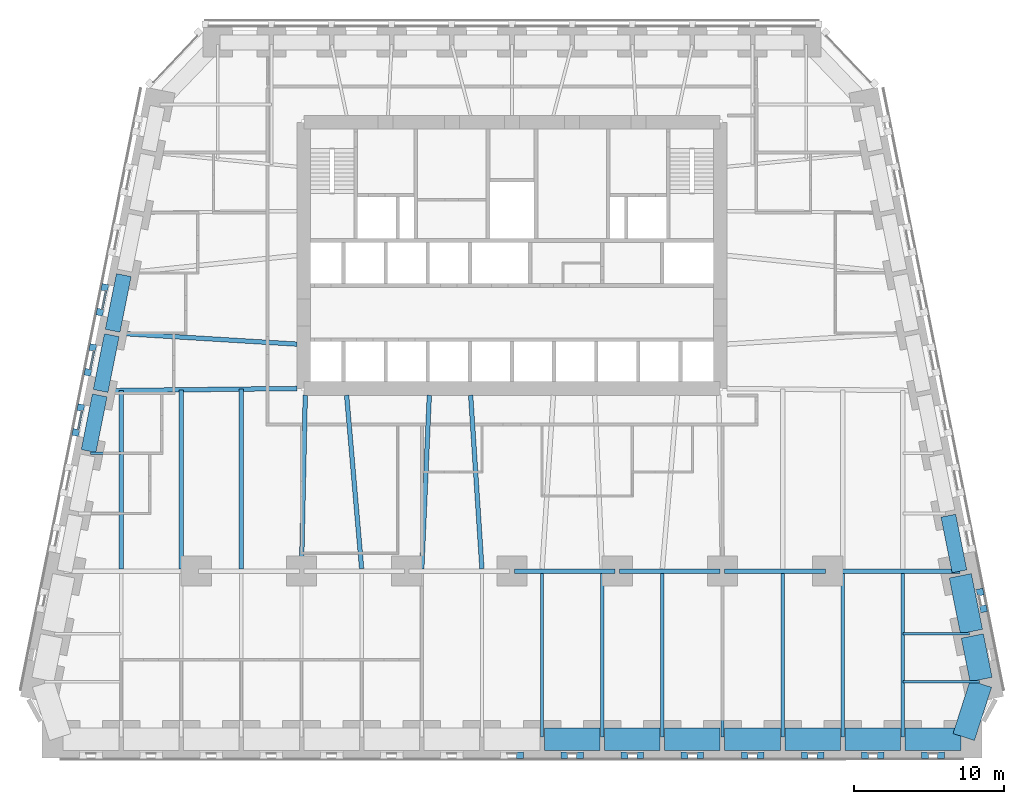
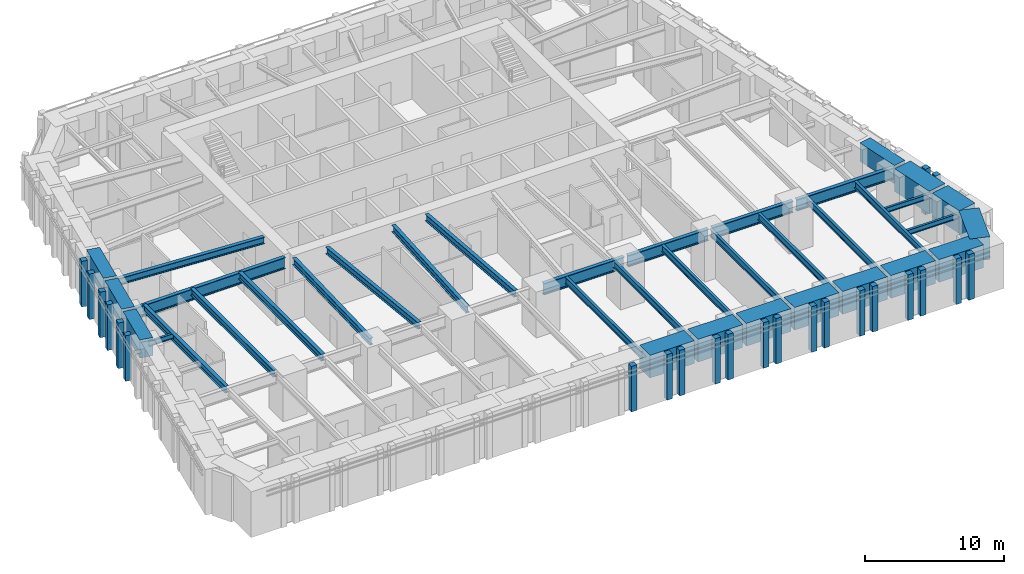
# One storey, part 2 of 16: 37 beams, 26 members, 12 elements without a shape of their own.
"""IFC4 building model written with IfcOpenShell, lengths in metres."""

from ifc_helpers import new_model, si_unit, direction, frame, origin, origin_2d, place, context, subcontext, project, spatial, rectangle, i_section, extrude, material, material_profile, profile_set, type_object, element, aggregate, save


model = new_model("IFC4")

# Units and contexts
model_context = context("Model", 3, precision=1e-05, world=origin(), true_north=direction((0.0, 1.0)))
body_context = subcontext(model_context, "Body", "Model", "MODEL_VIEW")
ifc_project = project(units=[si_unit("LENGTHUNIT", "METRE"), si_unit("AREAUNIT", "SQUARE_METRE"), si_unit("VOLUMEUNIT", "CUBIC_METRE"), si_unit("PLANEANGLEUNIT", "RADIAN"), si_unit("MASSUNIT", "GRAM", prefix="KILO")], contexts=[model_context])

# Site, building, storey
site_placement = place(None, origin())
site = spatial("IfcSite", under=ifc_project, at=site_placement, CompositionType="ELEMENT")
building_placement = place(site_placement, origin())
building = spatial("IfcBuilding", under=site, at=building_placement, Name="Isbrekke Arena Tower", CompositionType="ELEMENT")
storey_placement = place(building_placement, frame((0.0, 0.0, 52.0)))
storey = spatial("IfcBuildingStorey", under=building, at=storey_placement, Name="L10", CompositionType="ELEMENT", Elevation=52.0)

# Beams
ifc_material_1 = material(Name="Steel S355", Category="steel")
ifc_material_profile_1 = material_profile(ifc_material_1, i_section(OverallWidth=0.219970703125, OverallDepth=0.60009765625, WebThickness=0.011962890625, FlangeThickness=0.01904296875, FilletRadius=0.02392578125, at=origin_2d()), Name="IPE 600")
ifc_profile_set_1 = profile_set([ifc_material_profile_1], Name="Steel S355")
beam_type_1 = type_object("IfcBeamType", Name="B1 IPE 600", PredefinedType="BEAM", material=ifc_profile_set_1)
for number, where, z_axis, x_axis, name in (
    (1, (2.0, -17.02490234375, 3.550048828125), (0.0, 1.0, 0.0), (-1.0, 0.0, 0.0), "B1 beam S-S09 L10"),
    (2, (6.0, -17.02490234375, 3.550048828125), (0.0, 1.0, 0.0), (-1.0, 0.0, 0.0), "B1 beam S-S10 L10"),
    (3, (10.0, -17.02490234375, 3.550048828125), (0.0, 1.0, 0.0), (-1.0, 0.0, 0.0), "B1 beam S-S11 L10"),
):
    element("IfcBeam", number, at=place(storey_placement, frame(where, z_axis=z_axis, x_axis=x_axis)), inside=storey, type_object=beam_type_1, Name=name, PredefinedType="BEAM", context=body_context, shape_type="SweptSolid", body=[
        extrude(i_section(OverallWidth=0.219970703125, OverallDepth=0.60009765625, WebThickness=0.011962890625, FlangeThickness=0.01904296875, FilletRadius=0.02392578125, at=origin_2d()), origin(), (0.0, 0.0, 1.0), 10.8740234375),
    ])
beam_1_placement = place(storey_placement, frame((14.0, -17.02490234375, 3.550048828125), z_axis=(0.0, 1.0, 0.0), x_axis=(-1.0, 0.0, 0.0)))
element("IfcBeam", 4, at=beam_1_placement, inside=storey, type_object=beam_type_1, Name="B1 beam S-S12 L10", PredefinedType="BEAM", context=body_context, shape_type="SweptSolid", body=[
    extrude(i_section(OverallWidth=0.219970703125, OverallDepth=0.60009765625, WebThickness=0.011962890625, FlangeThickness=0.01904296875, FilletRadius=0.02392578125, at=origin_2d()), origin(), (0.0, 0.0, 1.0), 10.875),
])
for number, where, z_axis, x_axis, name in (
    (5, (18.0, -17.02490234375, 3.550048828125), (0.0, 1.0, 0.0), (-1.0, 0.0, 0.0), "B1 beam S-S13 L10"),
    (6, (22.0, -17.02490234375, 3.550048828125), (0.0, 1.0, 0.0), (-1.0, 0.0, 0.0), "B1 beam S-S14 L10"),
    (7, (26.0, -17.02490234375, 3.550048828125), (0.0, 1.0, 0.0), (-1.0, 0.0, 0.0), "B1 beam S-S15 L10"),
):
    element("IfcBeam", number, at=place(storey_placement, frame(where, z_axis=z_axis, x_axis=x_axis)), inside=storey, type_object=beam_type_1, Name=name, PredefinedType="BEAM", context=body_context, shape_type="SweptSolid", body=[
        extrude(i_section(OverallWidth=0.219970703125, OverallDepth=0.60009765625, WebThickness=0.011962890625, FlangeThickness=0.01904296875, FilletRadius=0.02392578125, at=origin_2d()), origin(), (0.0, 0.0, 1.0), 10.8740234375),
    ])
ifc_material_2 = material(Name="Steel S355", Category="steel")
ifc_material_profile_2 = material_profile(ifc_material_2, i_section(OverallWidth=0.18994140625, OverallDepth=0.449951171875, WebThickness=0.009521484375, FlangeThickness=0.0146484375, FilletRadius=0.02099609375, at=origin_2d()), Name="IPE 450")
ifc_profile_set_2 = profile_set([ifc_material_profile_2], Name="Steel S355")
beam_type_2 = type_object("IfcBeamType", Name="B2 IPE 450", PredefinedType="BEAM", material=ifc_profile_set_2)
beam_2_placement = place(storey_placement, frame((31.079345703125, -13.352783203125, 3.625), z_axis=(-1.0, 0.0, 0.0), x_axis=(0.0, -1.0, 0.0)))
element("IfcBeam", 8, at=beam_2_placement, inside=storey, type_object=beam_type_2, Name="B2 beam E-E01 L10", PredefinedType="BEAM", context=body_context, shape_type="SweptSolid", body=[
    extrude(i_section(OverallWidth=0.18994140625, OverallDepth=0.449951171875, WebThickness=0.009521484375, FlangeThickness=0.0146484375, FilletRadius=0.02099609375, at=origin_2d()), origin(), (0.0, 0.0, 1.0), 5.079345703125),
])
beam_3_placement = place(storey_placement, frame((30.44091796875, -10.161865234375, 3.625), z_axis=(-1.0, 0.0, 0.0), x_axis=(0.0, -1.0, 0.0)))
element("IfcBeam", 9, at=beam_3_placement, inside=storey, type_object=beam_type_2, Name="B2 beam E-E02 L10", PredefinedType="BEAM", context=body_context, shape_type="SweptSolid", body=[
    extrude(i_section(OverallWidth=0.18994140625, OverallDepth=0.449951171875, WebThickness=0.009521484375, FlangeThickness=0.0146484375, FilletRadius=0.02099609375, at=origin_2d()), origin(), (0.0, 0.0, 1.0), 4.44091796875),
])
beam_4_placement = place(storey_placement, frame((-28.041015625, 1.838134765625, 3.625), z_axis=(1.0, 0.0, 0.0), x_axis=(0.0, 1.0, 0.0)))
element("IfcBeam", 10, at=beam_4_placement, inside=storey, type_object=beam_type_2, Name="B2 beam E-W07 L10", PredefinedType="BEAM", context=body_context, shape_type="SweptSolid", body=[
    extrude(i_section(OverallWidth=0.18994140625, OverallDepth=0.449951171875, WebThickness=0.009521484375, FlangeThickness=0.0146484375, FilletRadius=0.02099609375, at=origin_2d()), origin(), (0.0, 0.0, 1.0), 2.041015625),
])
ifc_material_3 = material(Name="Steel S355", Category="steel")
ifc_material_profile_3 = material_profile(ifc_material_3, i_section(OverallWidth=0.300048828125, OverallDepth=0.60009765625, WebThickness=0.015380859375, FlangeThickness=0.030029296875, FilletRadius=0.027099609375, at=origin_2d()), Name="HEB 600")
ifc_profile_set_3 = profile_set([ifc_material_profile_3], Name="Steel S355")
beam_type_3 = type_object("IfcBeamType", Name="B7 HEB 600", PredefinedType="BEAM", material=ifc_profile_set_3)
beam_5_placement = place(storey_placement, frame((-26.0, -5.84912109375, 3.550048828125), z_axis=(0.0, 1.0, 0.0), x_axis=(-1.0, 0.0, 0.0)))
element("IfcBeam", 11, at=beam_5_placement, inside=storey, type_object=beam_type_3, Name="B7 beam C-M01 L10", PredefinedType="BEAM", context=body_context, shape_type="SweptSolid", body=[
    extrude(i_section(OverallWidth=0.300048828125, OverallDepth=0.60009765625, WebThickness=0.015380859375, FlangeThickness=0.030029296875, FilletRadius=0.027099609375, at=origin_2d()), origin(), (0.0, 0.0, 1.0), 11.864990234375),
])
beam_6_placement = place(storey_placement, frame((-22.0, -5.84912109375, 3.550048828125), z_axis=(0.0, 1.0, 0.0), x_axis=(-1.0, 0.0, 0.0)))
element("IfcBeam", 12, at=beam_6_placement, inside=storey, type_object=beam_type_3, Name="B7 beam C-M02 L10", PredefinedType="BEAM", context=body_context, shape_type="SweptSolid", body=[
    extrude(i_section(OverallWidth=0.300048828125, OverallDepth=0.60009765625, WebThickness=0.015380859375, FlangeThickness=0.030029296875, FilletRadius=0.027099609375, at=origin_2d()), origin(), (0.0, 0.0, 1.0), 11.910888671875),
])
beam_7_placement = place(storey_placement, frame((-18.0, -5.84912109375, 3.550048828125), z_axis=(0.0, 1.0, 0.0), x_axis=(-1.0, 0.0, 0.0)))
element("IfcBeam", 13, at=beam_7_placement, inside=storey, type_object=beam_type_3, Name="B7 beam C-M03 L10", PredefinedType="BEAM", context=body_context, shape_type="SweptSolid", body=[
    extrude(i_section(OverallWidth=0.300048828125, OverallDepth=0.60009765625, WebThickness=0.015380859375, FlangeThickness=0.030029296875, FilletRadius=0.027099609375, at=origin_2d()), origin(), (0.0, 0.0, 1.0), 11.956787109375),
])
beam_8_placement = place(storey_placement, frame((-14.0, -5.8466796875, 3.550048828125), z_axis=(0.021646264273, 0.999765692171, 0.0), x_axis=(-0.999765692171, 0.021646264273, 0.0)))
element("IfcBeam", 14, at=beam_8_placement, inside=storey, type_object=beam_type_3, Name="B7 beam C-M04 L10", PredefinedType="BEAM", context=body_context, shape_type="SweptSolid", body=[
    extrude(i_section(OverallWidth=0.300048828125, OverallDepth=0.60009765625, WebThickness=0.015380859375, FlangeThickness=0.030029296875, FilletRadius=0.027099609375, at=origin_2d()), origin(), (0.0, 0.0, 1.0), 11.54931640625),
])
beam_9_placement = place(storey_placement, frame((-10.001220703125, -5.836181640625, 3.550048828125), z_axis=(-0.086255671377, 0.996273034442, 0.0), x_axis=(-0.996273034442, -0.086255671377, 0.0)))
element("IfcBeam", 15, at=beam_9_placement, inside=storey, type_object=beam_type_3, Name="B7 beam C-M05 L10", PredefinedType="BEAM", context=body_context, shape_type="SweptSolid", body=[
    extrude(i_section(OverallWidth=0.300048828125, OverallDepth=0.60009765625, WebThickness=0.015380859375, FlangeThickness=0.030029296875, FilletRadius=0.027099609375, at=origin_2d()), origin(), (0.0, 0.0, 1.0), 11.579345703125),
])
beam_10_placement = place(storey_placement, frame((-5.999755859375, -5.842529296875, 3.550048828125), z_axis=(0.04325656756, 0.99906399663, 0.0), x_axis=(-0.99906399663, 0.04325656756, 0.0)))
element("IfcBeam", 16, at=beam_10_placement, inside=storey, type_object=beam_type_3, Name="B7 beam C-M06 L10", PredefinedType="BEAM", context=body_context, shape_type="SweptSolid", body=[
    extrude(i_section(OverallWidth=0.300048828125, OverallDepth=0.60009765625, WebThickness=0.015380859375, FlangeThickness=0.030029296875, FilletRadius=0.027099609375, at=origin_2d()), origin(), (0.0, 0.0, 1.0), 11.55322265625),
])
beam_11_placement = place(storey_placement, frame((-2.000732421875, -5.83935546875, 3.550048828125), z_axis=(-0.064795318476, 0.997898575359, 0.0), x_axis=(-0.997898575359, -0.064795318476, 0.0)))
element("IfcBeam", 17, at=beam_11_placement, inside=storey, type_object=beam_type_3, Name="B7 beam C-M07 L10", PredefinedType="BEAM", context=body_context, shape_type="SweptSolid", body=[
    extrude(i_section(OverallWidth=0.300048828125, OverallDepth=0.60009765625, WebThickness=0.015380859375, FlangeThickness=0.030029296875, FilletRadius=0.027099609375, at=origin_2d()), origin(), (0.0, 0.0, 1.0), 11.563720703125),
])
beam_12_placement = place(storey_placement, frame((-26.431884765625, 9.837646484375, 3.550048828125), z_axis=(0.998157121592, -0.060682457223, 0.0), x_axis=(0.060682457223, 0.998157121592, 0.0)))
element("IfcBeam", 18, at=beam_12_placement, inside=storey, type_object=beam_type_3, Name="B7 beam E-W05 L10", PredefinedType="BEAM", context=body_context, shape_type="SweptSolid", body=[
    extrude(i_section(OverallWidth=0.300048828125, OverallDepth=0.60009765625, WebThickness=0.015380859375, FlangeThickness=0.030029296875, FilletRadius=0.027099609375, at=origin_2d()), origin(), (0.0, 0.0, 1.0), 12.154296875),
])

# Curtain wall, member
ifc_material_4 = material(Name="Glazed aluminium curtain wall", Category="aluminium")
curtain_wall_type = type_object("IfcCurtainWallType", Name="CWL TOWER CURTAIN WALL LOW ZONE", PredefinedType="USERDEFINED", material=ifc_material_4)
curtain_wall_1_placement = place(storey_placement, origin())
curtain_wall_1 = element("IfcCurtainWall", 19, at=curtain_wall_1_placement, inside=storey, type_object=curtain_wall_type, Name="CWL curtain wall L10-S15", ObjectType="TOWER CURTAIN WALL LOW ZONE", PredefinedType="USERDEFINED")
ifc_material_5 = material(Name="Aluminium mullion, pale brick slip cladding", Category="masonry")
ifc_material_profile_4 = material_profile(ifc_material_5, rectangle(XDim=0.449951171875, YDim=0.449951171875, at=origin_2d()), Name="PIER 450X450")
ifc_profile_set_4 = profile_set([ifc_material_profile_4], Name="Aluminium mullion, pale brick slip cladding")
member_type_1 = type_object("IfcMemberType", Name="CWL-M PIER MULLION 450 x 450", PredefinedType="MULLION", material=ifc_profile_set_4)
member_1_placement = place(storey_placement, frame((0.52490234375, -18.25, 0.0), z_axis=(0.0, 0.0, 1.0), x_axis=(1.0, 0.0, 0.0)))
member_1 = element("IfcMember", 20, at=member_1_placement, type_object=member_type_1, Name="CWL-M mullion 2", PredefinedType="MULLION", context=body_context, shape_type="SweptSolid", body=[
    extrude(rectangle(XDim=0.449951171875, YDim=0.449951171875, at=origin_2d()), origin(), (0.0, 0.0, 1.0), 4.0),
])
aggregate(curtain_wall_1, [member_1])

# Curtain wall, members
curtain_wall_2_placement = place(storey_placement, origin())
curtain_wall_2 = element("IfcCurtainWall", 21, at=curtain_wall_2_placement, inside=storey, type_object=curtain_wall_type, Name="CWL curtain wall L10-S17", ObjectType="TOWER CURTAIN WALL LOW ZONE", PredefinedType="USERDEFINED")
member_2_placement = place(storey_placement, frame((3.47509765625, -18.25, 0.0), z_axis=(0.0, 0.0, 1.0), x_axis=(1.0, 0.0, 0.0)))
member_2 = element("IfcMember", 22, at=member_2_placement, type_object=member_type_1, Name="CWL-M mullion 1", PredefinedType="MULLION", context=body_context, shape_type="SweptSolid", body=[
    extrude(rectangle(XDim=0.449951171875, YDim=0.449951171875, at=origin_2d()), origin(), (0.0, 0.0, 1.0), 4.0),
])
member_3_placement = place(storey_placement, frame((4.52490234375, -18.25, 0.0), z_axis=(0.0, 0.0, 1.0), x_axis=(1.0, 0.0, 0.0)))
member_3 = element("IfcMember", 23, at=member_3_placement, type_object=member_type_1, Name="CWL-M mullion 2", PredefinedType="MULLION", context=body_context, shape_type="SweptSolid", body=[
    extrude(rectangle(XDim=0.449951171875, YDim=0.449951171875, at=origin_2d()), origin(), (0.0, 0.0, 1.0), 4.0),
])
aggregate(curtain_wall_2, [member_2, member_3])

curtain_wall_3_placement = place(storey_placement, origin())
curtain_wall_3 = element("IfcCurtainWall", 24, at=curtain_wall_3_placement, inside=storey, type_object=curtain_wall_type, Name="CWL curtain wall L10-S19", ObjectType="TOWER CURTAIN WALL LOW ZONE", PredefinedType="USERDEFINED")
member_4_placement = place(storey_placement, frame((7.47509765625, -18.25, 0.0), z_axis=(0.0, 0.0, 1.0), x_axis=(1.0, 0.0, 0.0)))
member_4 = element("IfcMember", 25, at=member_4_placement, type_object=member_type_1, Name="CWL-M mullion 1", PredefinedType="MULLION", context=body_context, shape_type="SweptSolid", body=[
    extrude(rectangle(XDim=0.449951171875, YDim=0.449951171875, at=origin_2d()), origin(), (0.0, 0.0, 1.0), 4.0),
])
member_5_placement = place(storey_placement, frame((8.52490234375, -18.25, 0.0), z_axis=(0.0, 0.0, 1.0), x_axis=(1.0, 0.0, 0.0)))
member_5 = element("IfcMember", 26, at=member_5_placement, type_object=member_type_1, Name="CWL-M mullion 2", PredefinedType="MULLION", context=body_context, shape_type="SweptSolid", body=[
    extrude(rectangle(XDim=0.449951171875, YDim=0.449951171875, at=origin_2d()), origin(), (0.0, 0.0, 1.0), 4.0),
])
aggregate(curtain_wall_3, [member_4, member_5])

curtain_wall_4_placement = place(storey_placement, origin())
curtain_wall_4 = element("IfcCurtainWall", 27, at=curtain_wall_4_placement, inside=storey, type_object=curtain_wall_type, Name="CWL curtain wall L10-S21", ObjectType="TOWER CURTAIN WALL LOW ZONE", PredefinedType="USERDEFINED")
member_6_placement = place(storey_placement, frame((11.47509765625, -18.25, 0.0), z_axis=(0.0, 0.0, 1.0), x_axis=(1.0, 0.0, 0.0)))
member_6 = element("IfcMember", 28, at=member_6_placement, type_object=member_type_1, Name="CWL-M mullion 1", PredefinedType="MULLION", context=body_context, shape_type="SweptSolid", body=[
    extrude(rectangle(XDim=0.449951171875, YDim=0.449951171875, at=origin_2d()), origin(), (0.0, 0.0, 1.0), 4.0),
])
member_7_placement = place(storey_placement, frame((12.52490234375, -18.25, 0.0), z_axis=(0.0, 0.0, 1.0), x_axis=(1.0, 0.0, 0.0)))
member_7 = element("IfcMember", 29, at=member_7_placement, type_object=member_type_1, Name="CWL-M mullion 2", PredefinedType="MULLION", context=body_context, shape_type="SweptSolid", body=[
    extrude(rectangle(XDim=0.449951171875, YDim=0.449951171875, at=origin_2d()), origin(), (0.0, 0.0, 1.0), 4.0),
])
aggregate(curtain_wall_4, [member_6, member_7])

curtain_wall_5_placement = place(storey_placement, origin())
curtain_wall_5 = element("IfcCurtainWall", 30, at=curtain_wall_5_placement, inside=storey, type_object=curtain_wall_type, Name="CWL curtain wall L10-S23", ObjectType="TOWER CURTAIN WALL LOW ZONE", PredefinedType="USERDEFINED")
member_8_placement = place(storey_placement, frame((15.47509765625, -18.25, 0.0), z_axis=(0.0, 0.0, 1.0), x_axis=(1.0, 0.0, 0.0)))
member_8 = element("IfcMember", 31, at=member_8_placement, type_object=member_type_1, Name="CWL-M mullion 1", PredefinedType="MULLION", context=body_context, shape_type="SweptSolid", body=[
    extrude(rectangle(XDim=0.449951171875, YDim=0.449951171875, at=origin_2d()), origin(), (0.0, 0.0, 1.0), 4.0),
])
member_9_placement = place(storey_placement, frame((16.52490234375, -18.25, 0.0), z_axis=(0.0, 0.0, 1.0), x_axis=(1.0, 0.0, 0.0)))
member_9 = element("IfcMember", 32, at=member_9_placement, type_object=member_type_1, Name="CWL-M mullion 2", PredefinedType="MULLION", context=body_context, shape_type="SweptSolid", body=[
    extrude(rectangle(XDim=0.449951171875, YDim=0.449951171875, at=origin_2d()), origin(), (0.0, 0.0, 1.0), 4.0),
])
aggregate(curtain_wall_5, [member_8, member_9])

curtain_wall_6_placement = place(storey_placement, origin())
curtain_wall_6 = element("IfcCurtainWall", 33, at=curtain_wall_6_placement, inside=storey, type_object=curtain_wall_type, Name="CWL curtain wall L10-S25", ObjectType="TOWER CURTAIN WALL LOW ZONE", PredefinedType="USERDEFINED")
member_10_placement = place(storey_placement, frame((19.47509765625, -18.25, 0.0), z_axis=(0.0, 0.0, 1.0), x_axis=(1.0, 0.0, 0.0)))
member_10 = element("IfcMember", 34, at=member_10_placement, type_object=member_type_1, Name="CWL-M mullion 1", PredefinedType="MULLION", context=body_context, shape_type="SweptSolid", body=[
    extrude(rectangle(XDim=0.449951171875, YDim=0.449951171875, at=origin_2d()), origin(), (0.0, 0.0, 1.0), 4.0),
])
member_11_placement = place(storey_placement, frame((20.52490234375, -18.25, 0.0), z_axis=(0.0, 0.0, 1.0), x_axis=(1.0, 0.0, 0.0)))
member_11 = element("IfcMember", 35, at=member_11_placement, type_object=member_type_1, Name="CWL-M mullion 2", PredefinedType="MULLION", context=body_context, shape_type="SweptSolid", body=[
    extrude(rectangle(XDim=0.449951171875, YDim=0.449951171875, at=origin_2d()), origin(), (0.0, 0.0, 1.0), 4.0),
])
aggregate(curtain_wall_6, [member_10, member_11])

curtain_wall_7_placement = place(storey_placement, origin())
curtain_wall_7 = element("IfcCurtainWall", 36, at=curtain_wall_7_placement, inside=storey, type_object=curtain_wall_type, Name="CWL curtain wall L10-S27", ObjectType="TOWER CURTAIN WALL LOW ZONE", PredefinedType="USERDEFINED")
member_12_placement = place(storey_placement, frame((23.47509765625, -18.25, 0.0), z_axis=(0.0, 0.0, 1.0), x_axis=(1.0, 0.0, 0.0)))
member_12 = element("IfcMember", 37, at=member_12_placement, type_object=member_type_1, Name="CWL-M mullion 1", PredefinedType="MULLION", context=body_context, shape_type="SweptSolid", body=[
    extrude(rectangle(XDim=0.449951171875, YDim=0.449951171875, at=origin_2d()), origin(), (0.0, 0.0, 1.0), 4.0),
])
member_13_placement = place(storey_placement, frame((24.52490234375, -18.25, 0.0), z_axis=(0.0, 0.0, 1.0), x_axis=(1.0, 0.0, 0.0)))
member_13 = element("IfcMember", 38, at=member_13_placement, type_object=member_type_1, Name="CWL-M mullion 2", PredefinedType="MULLION", context=body_context, shape_type="SweptSolid", body=[
    extrude(rectangle(XDim=0.449951171875, YDim=0.449951171875, at=origin_2d()), origin(), (0.0, 0.0, 1.0), 4.0),
])
aggregate(curtain_wall_7, [member_12, member_13])

curtain_wall_8_placement = place(storey_placement, origin())
curtain_wall_8 = element("IfcCurtainWall", 39, at=curtain_wall_8_placement, inside=storey, type_object=curtain_wall_type, Name="CWL curtain wall L10-S29", ObjectType="TOWER CURTAIN WALL LOW ZONE", PredefinedType="USERDEFINED")
member_14_placement = place(storey_placement, frame((27.47509765625, -18.25, 0.0), z_axis=(0.0, 0.0, 1.0), x_axis=(1.0, 0.0, 0.0)))
member_14 = element("IfcMember", 40, at=member_14_placement, type_object=member_type_1, Name="CWL-M mullion 1", PredefinedType="MULLION", context=body_context, shape_type="SweptSolid", body=[
    extrude(rectangle(XDim=0.449951171875, YDim=0.449951171875, at=origin_2d()), origin(), (0.0, 0.0, 1.0), 4.0),
])
member_15_placement = place(storey_placement, frame((28.527099609375, -18.25, 0.0), z_axis=(0.0, 0.0, 1.0), x_axis=(1.0, 0.0, 0.0)))
member_15 = element("IfcMember", 41, at=member_15_placement, type_object=member_type_1, Name="CWL-M mullion 2", PredefinedType="MULLION", context=body_context, shape_type="SweptSolid", body=[
    extrude(rectangle(XDim=0.449951171875, YDim=0.449951171875, at=origin_2d()), origin(), (0.0, 0.0, 1.0), 4.0),
])
aggregate(curtain_wall_8, [member_14, member_15])

curtain_wall_9_placement = place(storey_placement, origin())
curtain_wall_9 = element("IfcCurtainWall", 42, at=curtain_wall_9_placement, inside=storey, type_object=curtain_wall_type, Name="CWL curtain wall L10-E3", ObjectType="TOWER CURTAIN WALL LOW ZONE", PredefinedType="USERDEFINED")
member_16_placement = place(storey_placement, frame((31.35595703125, -8.504638671875, 0.0), z_axis=(0.0, 0.0, 1.0), x_axis=(-0.196116135138, 0.980580675691, 0.0)))
member_16 = element("IfcMember", 43, at=member_16_placement, type_object=member_type_1, Name="CWL-M mullion 1", PredefinedType="MULLION", context=body_context, shape_type="SweptSolid", body=[
    extrude(rectangle(XDim=0.449951171875, YDim=0.449951171875, at=origin_2d()), origin(), (0.0, 0.0, 1.0), 4.0),
])
member_17_placement = place(storey_placement, frame((31.134521484375, -7.397216796875, 0.0), z_axis=(0.0, 0.0, 1.0), x_axis=(-0.196116135138, 0.980580675691, 0.0)))
member_17 = element("IfcMember", 44, at=member_17_placement, type_object=member_type_1, Name="CWL-M mullion 2", PredefinedType="MULLION", context=body_context, shape_type="SweptSolid", body=[
    extrude(rectangle(XDim=0.449951171875, YDim=0.449951171875, at=origin_2d()), origin(), (0.0, 0.0, 1.0), 4.0),
])
aggregate(curtain_wall_9, [member_16, member_17])

curtain_wall_10_placement = place(storey_placement, origin())
curtain_wall_10 = element("IfcCurtainWall", 45, at=curtain_wall_10_placement, inside=storey, type_object=curtain_wall_type, Name="CWL curtain wall L10-W7", ObjectType="TOWER CURTAIN WALL LOW ZONE", PredefinedType="USERDEFINED")
member_18_placement = place(storey_placement, frame((-27.08056640625, 12.872314453125, 0.0), z_axis=(0.0, 0.0, 1.0), x_axis=(-0.196116135138, -0.980580675691, 0.0)))
member_18 = element("IfcMember", 46, at=member_18_placement, type_object=member_type_1, Name="CWL-M mullion 1", PredefinedType="MULLION", context=body_context, shape_type="SweptSolid", body=[
    extrude(rectangle(XDim=0.449951171875, YDim=0.449951171875, at=origin_2d()), origin(), (0.0, 0.0, 1.0), 4.0),
])
member_19_placement = place(storey_placement, frame((-27.409912109375, 11.225830078125, 0.0), z_axis=(0.0, 0.0, 1.0), x_axis=(-0.196116135138, -0.980580675691, 0.0)))
member_19 = element("IfcMember", 47, at=member_19_placement, type_object=member_type_1, Name="CWL-M mullion 2", PredefinedType="MULLION", context=body_context, shape_type="SweptSolid", body=[
    extrude(rectangle(XDim=0.449951171875, YDim=0.449951171875, at=origin_2d()), origin(), (0.0, 0.0, 1.0), 4.0),
])

curtain_wall_11_placement = place(storey_placement, origin())
curtain_wall_11 = element("IfcCurtainWall", 48, at=curtain_wall_11_placement, inside=storey, type_object=curtain_wall_type, Name="CWL curtain wall L10-W9", ObjectType="TOWER CURTAIN WALL LOW ZONE", PredefinedType="USERDEFINED")
member_20_placement = place(storey_placement, frame((-27.88037109375, 8.872314453125, 0.0), z_axis=(0.0, 0.0, 1.0), x_axis=(-0.196116135138, -0.980580675691, 0.0)))
member_20 = element("IfcMember", 49, at=member_20_placement, type_object=member_type_1, Name="CWL-M mullion 1", PredefinedType="MULLION", context=body_context, shape_type="SweptSolid", body=[
    extrude(rectangle(XDim=0.449951171875, YDim=0.449951171875, at=origin_2d()), origin(), (0.0, 0.0, 1.0), 4.0),
])
member_21_placement = place(storey_placement, frame((-28.209716796875, 7.225830078125, 0.0), z_axis=(0.0, 0.0, 1.0), x_axis=(-0.196116135138, -0.980580675691, 0.0)))
member_21 = element("IfcMember", 50, at=member_21_placement, type_object=member_type_1, Name="CWL-M mullion 2", PredefinedType="MULLION", context=body_context, shape_type="SweptSolid", body=[
    extrude(rectangle(XDim=0.449951171875, YDim=0.449951171875, at=origin_2d()), origin(), (0.0, 0.0, 1.0), 4.0),
])

curtain_wall_12_placement = place(storey_placement, origin())
curtain_wall_12 = element("IfcCurtainWall", 51, at=curtain_wall_12_placement, inside=storey, type_object=curtain_wall_type, Name="CWL curtain wall L10-W11", ObjectType="TOWER CURTAIN WALL LOW ZONE", PredefinedType="USERDEFINED")
member_22_placement = place(storey_placement, frame((-28.680419921875, 4.872314453125, 0.0), z_axis=(0.0, 0.0, 1.0), x_axis=(-0.196116135138, -0.980580675691, 0.0)))
member_22 = element("IfcMember", 52, at=member_22_placement, type_object=member_type_1, Name="CWL-M mullion 1", PredefinedType="MULLION", context=body_context, shape_type="SweptSolid", body=[
    extrude(rectangle(XDim=0.449951171875, YDim=0.449951171875, at=origin_2d()), origin(), (0.0, 0.0, 1.0), 4.0),
])
member_23_placement = place(storey_placement, frame((-29.009765625, 3.225830078125, 0.0), z_axis=(0.0, 0.0, 1.0), x_axis=(-0.196116135138, -0.980580675691, 0.0)))
member_23 = element("IfcMember", 53, at=member_23_placement, type_object=member_type_1, Name="CWL-M mullion 2", PredefinedType="MULLION", context=body_context, shape_type="SweptSolid", body=[
    extrude(rectangle(XDim=0.449951171875, YDim=0.449951171875, at=origin_2d()), origin(), (0.0, 0.0, 1.0), 4.0),
])

# Member
ifc_material_6 = material(Name="Aluminium transom", Category="aluminium")
ifc_material_profile_5 = material_profile(ifc_material_6, rectangle(XDim=0.1201171875, YDim=0.199951171875, at=origin_2d()), Name="TRANSOM 120X200")
ifc_profile_set_5 = profile_set([ifc_material_profile_5], Name="Aluminium transom")
member_type_2 = type_object("IfcMemberType", Name="CWL-T TRANSOM 120 x 200", PredefinedType="USERDEFINED", material=ifc_profile_set_5)
member_24_placement = place(storey_placement, frame((-27.001953125, 12.627197265625, 3.0), z_axis=(-0.19623071885, -0.980557751986, 0.0), x_axis=(0.980557751986, -0.19623071885, 0.0)))
member_24 = element("IfcMember", 54, at=member_24_placement, type_object=member_type_2, Name="CWL-T transom 1", ObjectType="TRANSOM", PredefinedType="USERDEFINED", context=body_context, shape_type="SweptSolid", body=[
    extrude(rectangle(XDim=0.1201171875, YDim=0.199951171875, at=origin_2d()), origin(), (0.0, 0.0, 1.0), 1.229248046875),
])

aggregate(curtain_wall_10, [member_18, member_19, member_24])

member_25_placement = place(storey_placement, frame((-27.802001953125, 8.627197265625, 3.0), z_axis=(-0.19623071885, -0.980557751986, 0.0), x_axis=(0.980557751986, -0.19623071885, 0.0)))
member_25 = element("IfcMember", 55, at=member_25_placement, type_object=member_type_2, Name="CWL-T transom 1", ObjectType="TRANSOM", PredefinedType="USERDEFINED", context=body_context, shape_type="SweptSolid", body=[
    extrude(rectangle(XDim=0.1201171875, YDim=0.199951171875, at=origin_2d()), origin(), (0.0, 0.0, 1.0), 1.229248046875),
])

aggregate(curtain_wall_11, [member_20, member_21, member_25])

member_26_placement = place(storey_placement, frame((-28.60205078125, 4.627197265625, 3.0), z_axis=(-0.196039741533, -0.980595951317, 0.0), x_axis=(0.980595951317, -0.196039741533, 0.0)))
member_26 = element("IfcMember", 56, at=member_26_placement, type_object=member_type_2, Name="CWL-T transom 1", ObjectType="TRANSOM", PredefinedType="USERDEFINED", context=body_context, shape_type="SweptSolid", body=[
    extrude(rectangle(XDim=0.1201171875, YDim=0.199951171875, at=origin_2d()), origin(), (0.0, 0.0, 1.0), 1.229248046875),
])

aggregate(curtain_wall_12, [member_22, member_23, member_26])

# Beams
ifc_material_7 = material(Name="Steel S355", Category="steel")
ifc_material_profile_6 = material_profile(ifc_material_7, i_section(OverallWidth=0.302001953125, OverallDepth=1.008056640625, WebThickness=0.02099609375, FlangeThickness=0.0400390625, FilletRadius=0.030029296875, at=origin_2d()), Name="HEM 1000")
ifc_profile_set_6 = profile_set([ifc_material_profile_6], Name="Steel S355")
beam_type_4 = type_object("IfcBeamType", Name="G1 HEM 1000", PredefinedType="BEAM", material=ifc_profile_set_6)
for number, where, z_axis, x_axis, name in (
    (57, (0.14990234375, -6.0, 3.345947265625), (1.0, 0.0, 0.0), (0.0, 1.0, 0.0), "G1 beam G1-05 L10"),
    (58, (7.14990234375, -6.0, 3.345947265625), (1.0, 0.0, 0.0), (0.0, 1.0, 0.0), "G1 beam G1-06 L10"),
    (59, (14.14990234375, -6.0, 3.345947265625), (1.0, 0.0, 0.0), (0.0, 1.0, 0.0), "G1 beam G1-07 L10"),
):
    element("IfcBeam", number, at=place(storey_placement, frame(where, z_axis=z_axis, x_axis=x_axis)), inside=storey, type_object=beam_type_4, Name=name, PredefinedType="BEAM", context=body_context, shape_type="SweptSolid", body=[
        extrude(i_section(OverallWidth=0.302001953125, OverallDepth=1.008056640625, WebThickness=0.02099609375, FlangeThickness=0.0400390625, FilletRadius=0.030029296875, at=origin_2d()), origin(), (0.0, 0.0, 1.0), 6.7001953125),
    ])
beam_13_placement = place(storey_placement, frame((21.14990234375, -6.0, 3.345947265625), z_axis=(1.0, 0.0, 0.0), x_axis=(0.0, 1.0, 0.0)))
element("IfcBeam", 60, at=beam_13_placement, inside=storey, type_object=beam_type_4, Name="G1 beam G1-08 L10", PredefinedType="BEAM", context=body_context, shape_type="SweptSolid", body=[
    extrude(i_section(OverallWidth=0.302001953125, OverallDepth=1.008056640625, WebThickness=0.02099609375, FlangeThickness=0.0400390625, FilletRadius=0.030029296875, at=origin_2d()), origin(), (0.0, 0.0, 1.0), 8.64111328125),
])
ifc_material_8 = material(Name="Steel S355", Category="steel")
ifc_material_profile_7 = material_profile(ifc_material_8, i_section(OverallWidth=0.302001953125, OverallDepth=1.008056640625, WebThickness=0.02099609375, FlangeThickness=0.0400390625, FilletRadius=0.030029296875, at=origin_2d()), Name="HEM 1000")
ifc_profile_set_7 = profile_set([ifc_material_profile_7], Name="Steel S355")
beam_type_5 = type_object("IfcBeamType", Name="G2 HEM 1000", PredefinedType="BEAM", material=ifc_profile_set_7)
beam_14_placement = place(storey_placement, frame((-14.300048828125, 6.14990234375, 3.345947265625), z_axis=(-0.999934429634, -0.011451481699, 0.0), x_axis=(0.011451481699, -0.999934429634, 0.0)))
element("IfcBeam", 61, at=beam_14_placement, inside=storey, type_object=beam_type_5, Name="G2 beam G2-W L10", PredefinedType="BEAM", context=body_context, shape_type="SweptSolid", body=[
    extrude(i_section(OverallWidth=0.302001953125, OverallDepth=1.008056640625, WebThickness=0.02099609375, FlangeThickness=0.0400390625, FilletRadius=0.030029296875, at=origin_2d()), origin(), (0.0, 0.0, 1.0), 13.09033203125),
])
ifc_material_9 = material(Name="Concrete B90 (C90/105)", Category="concrete")
ifc_material_profile_8 = material_profile(ifc_material_9, rectangle(XDim=1.0, YDim=1.60009765625, at=origin_2d()), Name="RC 1000x1600")
ifc_profile_set_8 = profile_set([ifc_material_profile_8], Name="Concrete B90 (C90/105)")
beam_type_6 = type_object("IfcBeamType", Name="SB1 RC 1000 x 1600", PredefinedType="SPANDREL", material=ifc_profile_set_8)
beam_15_placement = place(storey_placement, frame((29.76171875, -6.0146484375, 3.199951171875), z_axis=(-0.196128558387, 0.980578190959, 0.0), x_axis=(-0.980578190959, -0.196128558387, 0.0)))
element("IfcBeam", 62, at=beam_15_placement, inside=storey, type_object=beam_type_6, Name="SB1 spandrel E03-E04 L10", PredefinedType="SPANDREL", context=body_context, shape_type="SweptSolid", body=[
    extrude(rectangle(XDim=1.0, YDim=1.60009765625, at=origin_2d()), origin(), (0.0, 0.0, 1.0), 3.779296875),
])
beam_16_placement = place(storey_placement, frame((-25.820556640625, 13.691162109375, 3.199951171875), z_axis=(-0.1960664412, -0.980590613169, 0.0), x_axis=(0.980590613169, -0.1960664412, 0.0)))
element("IfcBeam", 63, at=beam_16_placement, inside=storey, type_object=beam_type_6, Name="SB1 spandrel W04-W05 L10", PredefinedType="SPANDREL", context=body_context, shape_type="SweptSolid", body=[
    extrude(rectangle(XDim=1.0, YDim=1.60009765625, at=origin_2d()), origin(), (0.0, 0.0, 1.0), 3.779052734375),
])
for number, where, z_axis, x_axis, name in (
    (64, (-26.620361328125, 9.691162109375, 3.199951171875), (-0.196128558387, -0.980578190959, 0.0), (0.980578190959, -0.196128558387, 0.0), "SB1 spandrel W05-W06 L10"),
    (65, (-27.42041015625, 5.691162109375, 3.199951171875), (-0.196128558387, -0.980578190959, 0.0), (0.980578190959, -0.196128558387, 0.0), "SB1 spandrel W06-W07 L10"),
):
    element("IfcBeam", number, at=place(storey_placement, frame(where, z_axis=z_axis, x_axis=x_axis)), inside=storey, type_object=beam_type_6, Name=name, PredefinedType="SPANDREL", context=body_context, shape_type="SweptSolid", body=[
        extrude(rectangle(XDim=1.0, YDim=1.60009765625, at=origin_2d()), origin(), (0.0, 0.0, 1.0), 3.779296875),
    ])
ifc_material_10 = material(Name="Concrete B90 (C90/105)", Category="concrete")
ifc_material_profile_9 = material_profile(ifc_material_10, rectangle(XDim=1.5, YDim=2.0, at=origin_2d()), Name="RC 1500x2000")
ifc_profile_set_9 = profile_set([ifc_material_profile_9], Name="Concrete B90 (C90/105)")
beam_type_7 = type_object("IfcBeamType", Name="SB6 RC 1500 x 2000", PredefinedType="SPANDREL", material=ifc_profile_set_9)
for number, where, z_axis, x_axis, name in (
    (66, (2.14990234375, -17.175048828125, 3.0), (1.0, 0.0, 0.0), (0.0, 1.0, 0.0), "SB6 spandrel S09-S10 L10"),
    (67, (6.14990234375, -17.175048828125, 3.0), (1.0, 0.0, 0.0), (0.0, 1.0, 0.0), "SB6 spandrel S10-S11 L10"),
    (68, (10.14990234375, -17.175048828125, 3.0), (1.0, 0.0, 0.0), (0.0, 1.0, 0.0), "SB6 spandrel S11-S12 L10"),
    (69, (14.14990234375, -17.175048828125, 3.0), (1.0, 0.0, 0.0), (0.0, 1.0, 0.0), "SB6 spandrel S12-S13 L10"),
    (70, (18.14990234375, -17.175048828125, 3.0), (1.0, 0.0, 0.0), (0.0, 1.0, 0.0), "SB6 spandrel S13-S14 L10"),
    (71, (22.14990234375, -17.175048828125, 3.0), (1.0, 0.0, 0.0), (0.0, 1.0, 0.0), "SB6 spandrel S14-S15 L10"),
    (72, (26.14990234375, -17.175048828125, 3.0), (1.0, 0.0, 0.0), (0.0, 1.0, 0.0), "SB6 spandrel S15-S16 L10"),
):
    element("IfcBeam", number, at=place(storey_placement, frame(where, z_axis=z_axis, x_axis=x_axis)), inside=storey, type_object=beam_type_7, Name=name, PredefinedType="SPANDREL", context=body_context, shape_type="SweptSolid", body=[
        extrude(rectangle(XDim=1.5, YDim=2.0, at=origin_2d()), origin(), (0.0, 0.0, 1.0), 3.7001953125),
    ])
beam_17_placement = place(storey_placement, frame((30.0458984375, -17.0322265625, 3.0), z_axis=(0.306175101476, 0.951975213562, 0.0), x_axis=(-0.951975213562, 0.306175101476, 0.0)))
element("IfcBeam", 73, at=beam_17_placement, inside=storey, type_object=beam_type_7, Name="SB6 spandrel S16-E01 L10", PredefinedType="SPANDREL", context=body_context, shape_type="SweptSolid", body=[
    extrude(rectangle(XDim=1.5, YDim=2.0, at=origin_2d()), origin(), (0.0, 0.0, 1.0), 3.715087890625),
])
beam_18_placement = place(storey_placement, frame((31.19970703125, -13.205810546875, 3.0), z_axis=(-0.196100243168, 0.980583853951, 0.0), x_axis=(-0.980583853951, -0.196100243168, 0.0)))
element("IfcBeam", 74, at=beam_18_placement, inside=storey, type_object=beam_type_7, Name="SB6 spandrel E01-E02 L10", PredefinedType="SPANDREL", context=body_context, shape_type="SweptSolid", body=[
    extrude(rectangle(XDim=1.5, YDim=2.0, at=origin_2d()), origin(), (0.0, 0.0, 1.0), 2.954345703125),
])
beam_19_placement = place(storey_placement, frame((30.5615234375, -10.0146484375, 3.0), z_axis=(-0.1960664412, 0.980590613169, 0.0), x_axis=(-0.980590613169, -0.1960664412, 0.0)))
element("IfcBeam", 75, at=beam_19_placement, inside=storey, type_object=beam_type_7, Name="SB6 spandrel E02-E03 L10", PredefinedType="SPANDREL", context=body_context, shape_type="SweptSolid", body=[
    extrude(rectangle(XDim=1.5, YDim=2.0, at=origin_2d()), origin(), (0.0, 0.0, 1.0), 3.779052734375),
])

save(model, "model.ifc")
